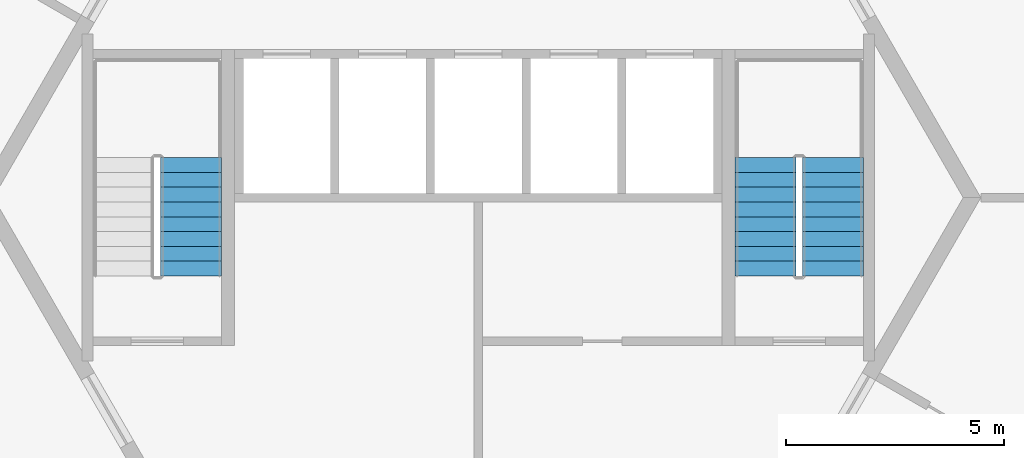
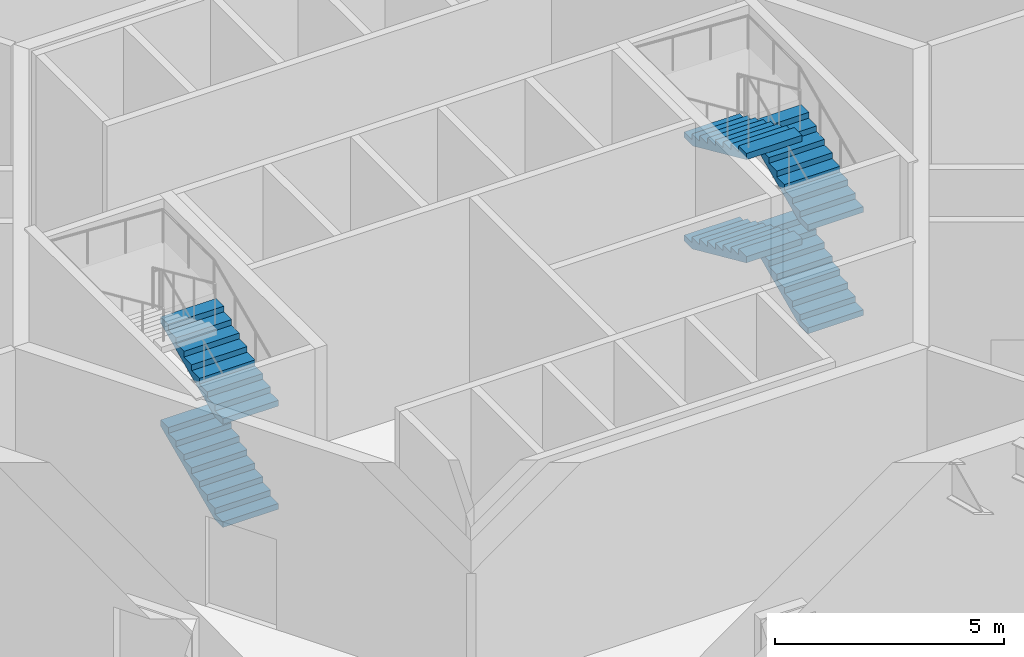
# One storey, part 24 of 25: 6 stair flights, 2 elements without a shape of their own.
"""IFC4 building model written with IfcOpenShell, lengths in metres."""

from ifc_helpers import new_model, si_unit, direction, frame, origin, place, context, subcontext, project, spatial, polyline, outline, extrude, material, type_object, element, aggregate, save


model = new_model("IFC4")

# Units and contexts
model_context = context("Model", 3, precision=1e-05, world=origin(), true_north=direction((0.0, 1.0)))
body_context = subcontext(model_context, "Body", "Model", "MODEL_VIEW")
ifc_project = project(units=[si_unit("LENGTHUNIT", "METRE"), si_unit("AREAUNIT", "SQUARE_METRE"), si_unit("VOLUMEUNIT", "CUBIC_METRE"), si_unit("PLANEANGLEUNIT", "RADIAN"), si_unit("MASSUNIT", "GRAM", prefix="KILO")], contexts=[model_context])

# Site, building, storey
site_placement = place(None, origin())
site = spatial("IfcSite", under=ifc_project, at=site_placement, CompositionType="ELEMENT")
building_placement = place(site_placement, origin())
building = spatial("IfcBuilding", under=site, at=building_placement, Name="Tarnside Tower", CompositionType="ELEMENT")
storey_placement = place(building_placement, frame((0.0, 0.0, 26.0)))
storey = spatial("IfcBuildingStorey", under=building, at=storey_placement, Name="L04", CompositionType="ELEMENT", Elevation=26.0)

# Stair, stair flights
ifc_material = material(Name="Concrete C40/50", Category="concrete")
stair_type = type_object("IfcStairType", Name="Exit stair 1400 clear", PredefinedType="HALF_TURN_STAIR", material=ifc_material)
stair_1_placement = place(storey_placement, origin())
stair_1 = element("IfcStair", 1, at=stair_1_placement, inside=storey, type_object=stair_type, Name="L04 Exit stair 1", PredefinedType="HALF_TURN_STAIR")
stair_flight_type = type_object("IfcStairFlightType", Name="Exit stair flight 1400", PredefinedType="STRAIGHT", material=ifc_material)
stair_flight_1_placement = place(storey_placement, frame((8.14990234375, -1.800048828125, 0.0), z_axis=(0.0, 0.0, 1.0), x_axis=(0.0, 1.0, 0.0)))
stair_flight_1 = element("IfcStairFlight", 2, at=stair_flight_1_placement, type_object=stair_flight_type, Name="ST1 flight 1", NumberOfRisers=9, NumberOfTreads=8, PredefinedType="STRAIGHT", RiserHeight=0.152777778, TreadLength=0.34, context=body_context, shape_type="SweptSolid", body=[
    extrude(outline(polyline([(0.0, 0.0), (0.0, 0.15283203125), (0.340087890625, 0.15283203125), (0.340087890625, 0.3056640625), (0.679931640625, 0.3056640625), (0.679931640625, 0.458251953125), (1.02001953125, 0.458251953125), (1.02001953125, 0.611083984375), (1.360107421875, 0.611083984375), (1.360107421875, 0.763916015625), (1.699951171875, 0.763916015625), (1.699951171875, 0.916748046875), (2.0400390625, 0.916748046875), (2.0400390625, 1.0693359375), (2.3798828125, 1.0693359375), (2.3798828125, 1.22216796875), (2.719970703125, 1.22216796875), (2.719970703125, 1.375), (2.719970703125, 1.057861328125), (0.36572265625, 0.0), (0.0, 0.0)])), frame((0.0, 0.699951171875, 0.0), z_axis=(0.0, -1.0, 0.0), x_axis=(1.0, 0.0, 0.0)), (0.0, 0.0, 1.0), 1.39990234375),
])
stair_flight_2_placement = place(storey_placement, frame((6.60009765625, 0.919921875, 1.375), z_axis=(0.0, 0.0, 1.0), x_axis=(0.0, -1.0, 0.0)))
stair_flight_2 = element("IfcStairFlight", 3, at=stair_flight_2_placement, type_object=stair_flight_type, Name="ST1 flight 2", NumberOfRisers=9, NumberOfTreads=8, PredefinedType="STRAIGHT", RiserHeight=0.152777778, TreadLength=0.34, context=body_context, shape_type="SweptSolid", body=[
    extrude(outline(polyline([(0.0, 0.0), (0.0, 0.15283203125), (0.340087890625, 0.15283203125), (0.340087890625, 0.3056640625), (0.679931640625, 0.3056640625), (0.679931640625, 0.458251953125), (1.02001953125, 0.458251953125), (1.02001953125, 0.611083984375), (1.360107421875, 0.611083984375), (1.360107421875, 0.763916015625), (1.699951171875, 0.763916015625), (1.699951171875, 0.916748046875), (2.0400390625, 0.916748046875), (2.0400390625, 1.0693359375), (2.3798828125, 1.0693359375), (2.3798828125, 1.22216796875), (2.719970703125, 1.22216796875), (2.719970703125, 1.375), (2.719970703125, 1.057861328125), (0.36572265625, 0.0), (0.0, 0.0)])), frame((0.0, 0.699951171875, 0.0), z_axis=(0.0, -1.0, 0.0), x_axis=(1.0, 0.0, 0.0)), (0.0, 0.0, 1.0), 1.39990234375),
])
stair_flight_3_placement = place(storey_placement, frame((8.14990234375, -1.800048828125, 2.75), z_axis=(0.0, 0.0, 1.0), x_axis=(0.0, 1.0, 0.0)))
stair_flight_3 = element("IfcStairFlight", 4, at=stair_flight_3_placement, type_object=stair_flight_type, Name="ST1 flight 3", NumberOfRisers=9, NumberOfTreads=8, PredefinedType="STRAIGHT", RiserHeight=0.152777778, TreadLength=0.34, context=body_context, shape_type="SweptSolid", body=[
    extrude(outline(polyline([(0.0, 0.0), (0.0, 0.15283203125), (0.340087890625, 0.15283203125), (0.340087890625, 0.3056640625), (0.679931640625, 0.3056640625), (0.679931640625, 0.458251953125), (1.02001953125, 0.458251953125), (1.02001953125, 0.611083984375), (1.360107421875, 0.611083984375), (1.360107421875, 0.763916015625), (1.699951171875, 0.763916015625), (1.699951171875, 0.916748046875), (2.0400390625, 0.916748046875), (2.0400390625, 1.0693359375), (2.3798828125, 1.0693359375), (2.3798828125, 1.22216796875), (2.719970703125, 1.22216796875), (2.719970703125, 1.375), (2.719970703125, 1.057861328125), (0.36572265625, 0.0), (0.0, 0.0)])), frame((0.0, 0.699951171875, 0.0), z_axis=(0.0, -1.0, 0.0), x_axis=(1.0, 0.0, 0.0)), (0.0, 0.0, 1.0), 1.39990234375),
])
stair_flight_4_placement = place(storey_placement, frame((6.60009765625, 0.919921875, 4.125), z_axis=(0.0, 0.0, 1.0), x_axis=(0.0, -1.0, 0.0)))
stair_flight_4 = element("IfcStairFlight", 5, at=stair_flight_4_placement, type_object=stair_flight_type, Name="ST1 flight 4", NumberOfRisers=9, NumberOfTreads=8, PredefinedType="STRAIGHT", RiserHeight=0.152777778, TreadLength=0.34, context=body_context, shape_type="SweptSolid", body=[
    extrude(outline(polyline([(0.0, 0.0), (0.0, 0.15283203125), (0.340087890625, 0.15283203125), (0.340087890625, 0.3056640625), (0.679931640625, 0.3056640625), (0.679931640625, 0.458251953125), (1.02001953125, 0.458251953125), (1.02001953125, 0.611083984375), (1.360107421875, 0.611083984375), (1.360107421875, 0.763916015625), (1.699951171875, 0.763916015625), (1.699951171875, 0.916748046875), (2.0400390625, 0.916748046875), (2.0400390625, 1.0693359375), (2.3798828125, 1.0693359375), (2.3798828125, 1.22216796875), (2.719970703125, 1.22216796875), (2.719970703125, 1.375), (2.719970703125, 1.057861328125), (0.36572265625, 0.0), (0.0, 0.0)])), frame((0.0, 0.699951171875, 0.0), z_axis=(0.0, -1.0, 0.0), x_axis=(1.0, 0.0, 0.0)), (0.0, 0.0, 1.0), 1.39990234375),
])
aggregate(stair_1, [stair_flight_1, stair_flight_2, stair_flight_3, stair_flight_4])

stair_2_placement = place(storey_placement, origin())
stair_2 = element("IfcStair", 6, at=stair_2_placement, inside=storey, type_object=stair_type, Name="L04 Exit stair 2", PredefinedType="HALF_TURN_STAIR")
stair_flight_5_placement = place(storey_placement, frame((-6.60009765625, -1.800048828125, 0.0), z_axis=(0.0, 0.0, 1.0), x_axis=(0.0, 1.0, 0.0)))
stair_flight_5 = element("IfcStairFlight", 7, at=stair_flight_5_placement, type_object=stair_flight_type, Name="ST2 flight 1", NumberOfRisers=9, NumberOfTreads=8, PredefinedType="STRAIGHT", RiserHeight=0.152777778, TreadLength=0.34, context=body_context, shape_type="SweptSolid", body=[
    extrude(outline(polyline([(0.0, 0.0), (0.0, 0.15283203125), (0.340087890625, 0.15283203125), (0.340087890625, 0.3056640625), (0.679931640625, 0.3056640625), (0.679931640625, 0.458251953125), (1.02001953125, 0.458251953125), (1.02001953125, 0.611083984375), (1.360107421875, 0.611083984375), (1.360107421875, 0.763916015625), (1.699951171875, 0.763916015625), (1.699951171875, 0.916748046875), (2.0400390625, 0.916748046875), (2.0400390625, 1.0693359375), (2.3798828125, 1.0693359375), (2.3798828125, 1.22216796875), (2.719970703125, 1.22216796875), (2.719970703125, 1.375), (2.719970703125, 1.057861328125), (0.36572265625, 0.0), (0.0, 0.0)])), frame((0.0, 0.699951171875, 0.0), z_axis=(0.0, -1.0, 0.0), x_axis=(1.0, 0.0, 0.0)), (0.0, 0.0, 1.0), 1.39990234375),
])
stair_flight_6_placement = place(storey_placement, frame((-6.60009765625, -1.800048828125, 2.75), z_axis=(0.0, 0.0, 1.0), x_axis=(0.0, 1.0, 0.0)))
stair_flight_6 = element("IfcStairFlight", 8, at=stair_flight_6_placement, type_object=stair_flight_type, Name="ST2 flight 3", NumberOfRisers=9, NumberOfTreads=8, PredefinedType="STRAIGHT", RiserHeight=0.152777778, TreadLength=0.34, context=body_context, shape_type="SweptSolid", body=[
    extrude(outline(polyline([(0.0, 0.0), (0.0, 0.15283203125), (0.340087890625, 0.15283203125), (0.340087890625, 0.3056640625), (0.679931640625, 0.3056640625), (0.679931640625, 0.458251953125), (1.02001953125, 0.458251953125), (1.02001953125, 0.611083984375), (1.360107421875, 0.611083984375), (1.360107421875, 0.763916015625), (1.699951171875, 0.763916015625), (1.699951171875, 0.916748046875), (2.0400390625, 0.916748046875), (2.0400390625, 1.0693359375), (2.3798828125, 1.0693359375), (2.3798828125, 1.22216796875), (2.719970703125, 1.22216796875), (2.719970703125, 1.375), (2.719970703125, 1.057861328125), (0.36572265625, 0.0), (0.0, 0.0)])), frame((0.0, 0.699951171875, 0.0), z_axis=(0.0, -1.0, 0.0), x_axis=(1.0, 0.0, 0.0)), (0.0, 0.0, 1.0), 1.39990234375),
])
aggregate(stair_2, [stair_flight_5, stair_flight_6])

save(model, "model.ifc")
